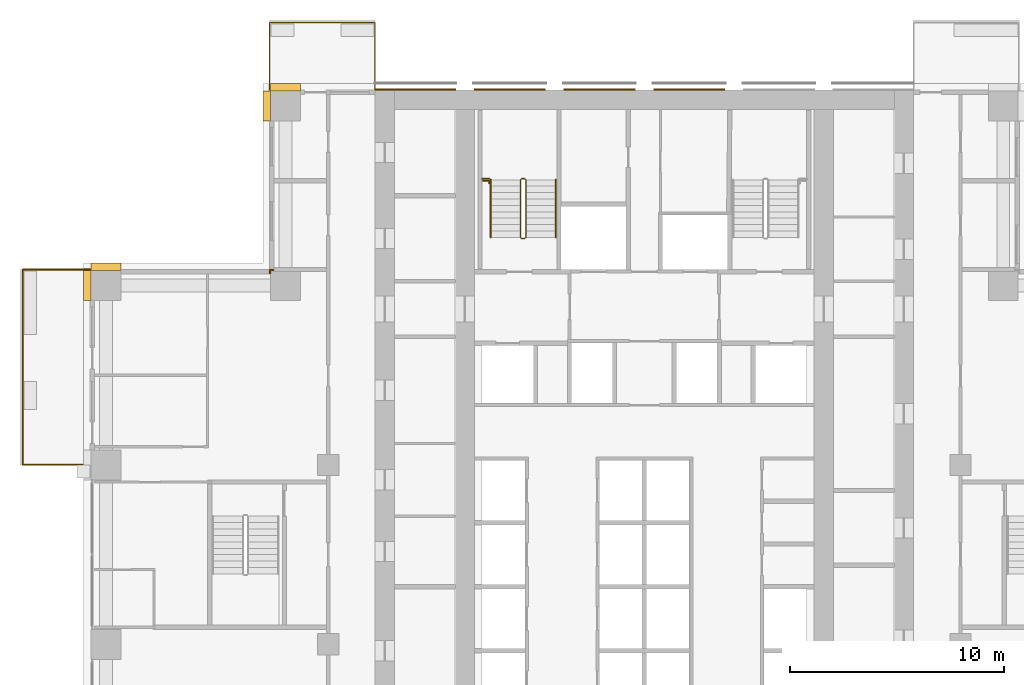
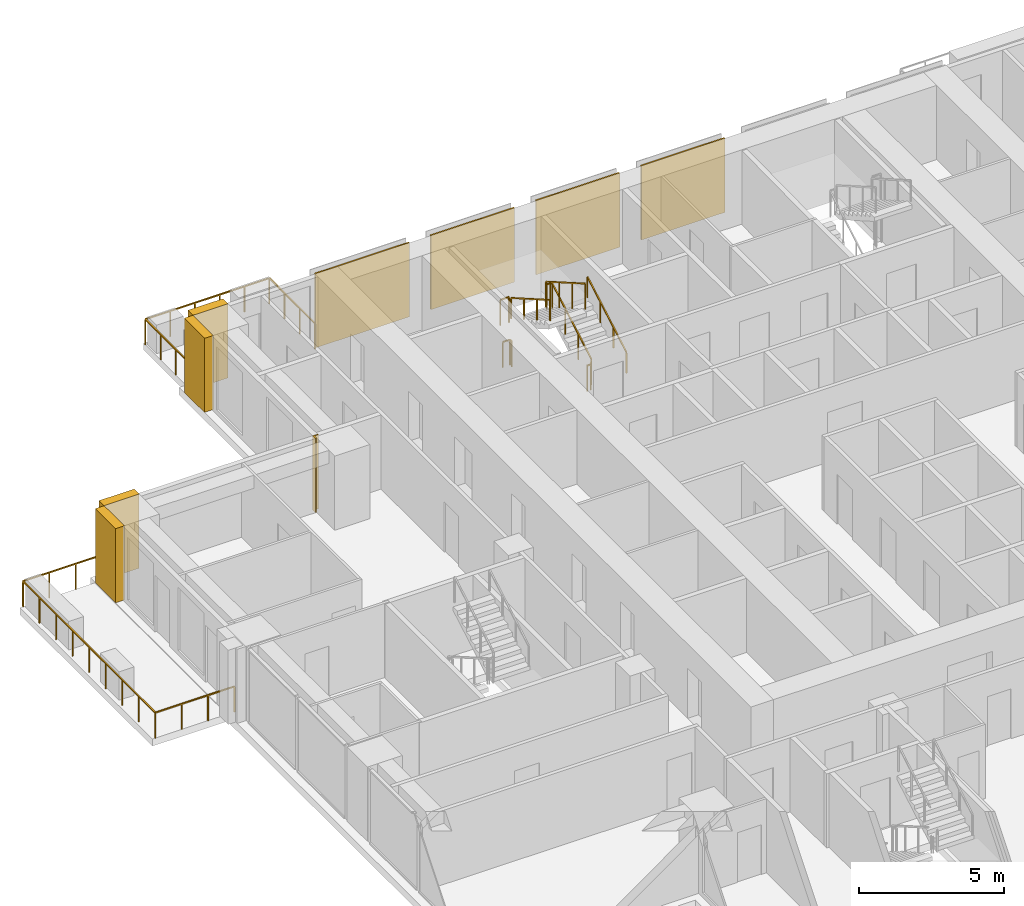
# One storey, part 15 of 16: 9 coverings, 7 railings.
"""IFC4 building model written with IfcOpenShell, lengths in metres."""

from ifc_helpers import new_model, si_unit, direction, frame, origin, origin_2d, place, context, subcontext, project, spatial, polyline, rectangle, outline, extrude, material, type_object, element, save


model = new_model("IFC4")

# Units and contexts
model_context = context("Model", 3, precision=1e-05, world=origin(), true_north=direction((0.0, 1.0)))
body_context = subcontext(model_context, "Body", "Model", "MODEL_VIEW")
ifc_project = project(units=[si_unit("LENGTHUNIT", "METRE"), si_unit("AREAUNIT", "SQUARE_METRE"), si_unit("VOLUMEUNIT", "CUBIC_METRE"), si_unit("PLANEANGLEUNIT", "RADIAN"), si_unit("MASSUNIT", "GRAM", prefix="KILO")], contexts=[model_context])

# Site, building, storey
site_placement = place(None, origin())
site = spatial("IfcSite", under=ifc_project, at=site_placement, CompositionType="ELEMENT")
building_placement = place(site_placement, origin())
building = spatial("IfcBuilding", under=site, at=building_placement, Name="Vermilion Ogive Tower", CompositionType="ELEMENT")
storey_placement = place(building_placement, frame((0.0, 0.0, 41.39990234375)))
storey = spatial("IfcBuildingStorey", under=building, at=storey_placement, Name="L08", CompositionType="ELEMENT", Elevation=41.39990234375)

# Railings
ifc_material_1 = material(Name="Stainless steel and glass", Category="steel")
railing_type_1 = type_object("IfcRailingType", Name="Balcony guard", PredefinedType="GUARDRAIL", material=ifc_material_1)
railing_1_placement = place(storey_placement, frame((-12.60009765625, 21.75, -0.039794921875)))
element("IfcRailing", 1, at=railing_1_placement, inside=storey, type_object=railing_type_1, Name="Guard N201", PredefinedType="GUARDRAIL", context=body_context, shape_type="SweptSolid", body=[
    extrude(rectangle(XDim=0.048095703125, YDim=0.048095703125, at=origin_2d()), frame((0.0, 0.0, 1.076171875), z_axis=(0.0, 1.0, 0.0), x_axis=(-1.0, 0.0, 0.0)), (0.0, 0.0, 1.0), 3.159912109375),
    extrude(rectangle(XDim=0.048095703125, YDim=0.048095703125, at=origin_2d()), frame((0.0, 3.159912109375, 1.076171875), z_axis=(-1.0, 0.0, 0.0), x_axis=(0.0, -1.0, 0.0)), (0.0, 0.0, 1.0), 4.949951171875),
    extrude(rectangle(XDim=0.048095703125, YDim=0.048095703125, at=origin_2d()), frame((-4.949951171875, 3.159912109375, 1.076171875), z_axis=(0.0, -1.0, 0.0), x_axis=(1.0, 0.0, 0.0)), (0.0, 0.0, 1.0), 3.159912109375),
    extrude(rectangle(XDim=0.0419921875, YDim=0.0419921875, at=origin_2d()), origin(), (0.0, 0.0, 1.0), 1.052001953125),
    extrude(rectangle(XDim=0.0419921875, YDim=0.0419921875, at=origin_2d()), frame((0.0, 1.05322265625, 0.0)), (0.0, 0.0, 1.0), 1.052001953125),
    extrude(rectangle(XDim=0.0419921875, YDim=0.0419921875, at=origin_2d()), frame((0.0, 2.106689453125, 0.0)), (0.0, 0.0, 1.0), 1.052001953125),
    extrude(rectangle(XDim=0.0419921875, YDim=0.0419921875, at=origin_2d()), frame((0.0, 3.159912109375, 0.0)), (0.0, 0.0, 1.0), 1.052001953125),
    extrude(rectangle(XDim=0.0419921875, YDim=0.0419921875, at=origin_2d()), frame((-0.989990234375, 3.159912109375, 0.0)), (0.0, 0.0, 1.0), 1.052001953125),
    extrude(rectangle(XDim=0.0419921875, YDim=0.0419921875, at=origin_2d()), frame((-1.97998046875, 3.159912109375, 0.0)), (0.0, 0.0, 1.0), 1.052001953125),
    extrude(rectangle(XDim=0.0419921875, YDim=0.0419921875, at=origin_2d()), frame((-2.969970703125, 3.159912109375, 0.0)), (0.0, 0.0, 1.0), 1.052001953125),
    extrude(rectangle(XDim=0.0419921875, YDim=0.0419921875, at=origin_2d()), frame((-3.9599609375, 3.159912109375, 0.0)), (0.0, 0.0, 1.0), 1.052001953125),
    extrude(rectangle(XDim=0.0419921875, YDim=0.0419921875, at=origin_2d()), frame((-4.949951171875, 3.159912109375, 0.0)), (0.0, 0.0, 1.0), 1.052001953125),
    extrude(rectangle(XDim=0.0419921875, YDim=0.0419921875, at=origin_2d()), frame((-4.949951171875, 2.106689453125, 0.0)), (0.0, 0.0, 1.0), 1.052001953125),
    extrude(rectangle(XDim=0.0419921875, YDim=0.0419921875, at=origin_2d()), frame((-4.949951171875, 1.05322265625, 0.0)), (0.0, 0.0, 1.0), 1.052001953125),
    extrude(rectangle(XDim=0.0419921875, YDim=0.0419921875, at=origin_2d()), frame((-4.949951171875, 0.0, 0.0)), (0.0, 0.0, 1.0), 1.052001953125),
])
railing_2_placement = place(storey_placement, frame((-25.949951171875, 13.35009765625, -0.039794921875)))
element("IfcRailing", 2, at=railing_2_placement, inside=storey, type_object=railing_type_1, Name="Guard W01", PredefinedType="GUARDRAIL", context=body_context, shape_type="SweptSolid", body=[
    extrude(rectangle(XDim=0.048095703125, YDim=0.048095703125, at=origin_2d()), frame((0.0, 0.0, 1.076171875), z_axis=(-1.0, 0.0, 0.0), x_axis=(0.0, -1.0, 0.0)), (0.0, 0.0, 1.0), 3.16015625),
    extrude(rectangle(XDim=0.048095703125, YDim=0.048095703125, at=origin_2d()), frame((-3.16015625, 0.0, 1.076171875), z_axis=(0.0, -1.0, 0.0), x_axis=(1.0, 0.0, 0.0)), (0.0, 0.0, 1.0), 9.150146484375),
    extrude(rectangle(XDim=0.048095703125, YDim=0.048095703125, at=origin_2d()), frame((-3.16015625, -9.150146484375, 1.076171875), z_axis=(1.0, 0.0, 0.0), x_axis=(0.0, 1.0, 0.0)), (0.0, 0.0, 1.0), 3.16015625),
    extrude(rectangle(XDim=0.0419921875, YDim=0.0419921875, at=origin_2d()), origin(), (0.0, 0.0, 1.0), 1.052001953125),
    extrude(rectangle(XDim=0.0419921875, YDim=0.0419921875, at=origin_2d()), frame((-1.053466796875, 0.0, 0.0)), (0.0, 0.0, 1.0), 1.052001953125),
    extrude(rectangle(XDim=0.0419921875, YDim=0.0419921875, at=origin_2d()), frame((-2.106689453125, 0.0, 0.0)), (0.0, 0.0, 1.0), 1.052001953125),
    extrude(rectangle(XDim=0.0419921875, YDim=0.0419921875, at=origin_2d()), frame((-3.16015625, 0.0, 0.0)), (0.0, 0.0, 1.0), 1.052001953125),
    extrude(rectangle(XDim=0.0419921875, YDim=0.0419921875, at=origin_2d()), frame((-3.16015625, -1.143798828125, 0.0)), (0.0, 0.0, 1.0), 1.052001953125),
    extrude(rectangle(XDim=0.0419921875, YDim=0.0419921875, at=origin_2d()), frame((-3.16015625, -2.28759765625, 0.0)), (0.0, 0.0, 1.0), 1.052001953125),
    extrude(rectangle(XDim=0.0419921875, YDim=0.0419921875, at=origin_2d()), frame((-3.16015625, -3.431396484375, 0.0)), (0.0, 0.0, 1.0), 1.052001953125),
    extrude(rectangle(XDim=0.0419921875, YDim=0.0419921875, at=origin_2d()), frame((-3.16015625, -4.5751953125, 0.0)), (0.0, 0.0, 1.0), 1.052001953125),
    extrude(rectangle(XDim=0.0419921875, YDim=0.0419921875, at=origin_2d()), frame((-3.16015625, -5.71875, 0.0)), (0.0, 0.0, 1.0), 1.052001953125),
    extrude(rectangle(XDim=0.0419921875, YDim=0.0419921875, at=origin_2d()), frame((-3.16015625, -6.862548828125, 0.0)), (0.0, 0.0, 1.0), 1.052001953125),
    extrude(rectangle(XDim=0.0419921875, YDim=0.0419921875, at=origin_2d()), frame((-3.16015625, -8.00634765625, 0.0)), (0.0, 0.0, 1.0), 1.052001953125),
    extrude(rectangle(XDim=0.0419921875, YDim=0.0419921875, at=origin_2d()), frame((-3.16015625, -9.150146484375, 0.0)), (0.0, 0.0, 1.0), 1.052001953125),
    extrude(rectangle(XDim=0.0419921875, YDim=0.0419921875, at=origin_2d()), frame((-2.106689453125, -9.150146484375, 0.0)), (0.0, 0.0, 1.0), 1.052001953125),
    extrude(rectangle(XDim=0.0419921875, YDim=0.0419921875, at=origin_2d()), frame((-1.053466796875, -9.150146484375, 0.0)), (0.0, 0.0, 1.0), 1.052001953125),
    extrude(rectangle(XDim=0.0419921875, YDim=0.0419921875, at=origin_2d()), frame((0.0, -9.150146484375, 0.0)), (0.0, 0.0, 1.0), 1.052001953125),
])
ifc_material_2 = material(Name="Steel S355 painted", Category="steel")
railing_type_2 = type_object("IfcRailingType", Name="Stair guard 1100", PredefinedType="GUARDRAIL", material=ifc_material_2)
railing_3_placement = place(storey_placement, frame((-5.75, 14.800048828125, 0.0)))
element("IfcRailing", 3, at=railing_3_placement, inside=storey, type_object=railing_type_2, Name="L08 ST1 stair guard 4", PredefinedType="GUARDRAIL", context=body_context, shape_type="SweptSolid", body=[
    extrude(rectangle(XDim=0.048095703125, YDim=0.048095703125, at=origin_2d()), frame((0.0, 0.0, 1.076171875), z_axis=(1.0, 0.0, 0.0), x_axis=(0.0, 1.0, 0.0)), (0.0, 0.0, 1.0), 0.14990234375),
    extrude(rectangle(XDim=0.048095703125, YDim=0.048095703125, at=origin_2d()), frame((0.14990234375, 0.0, 1.076171875), z_axis=(0.268277960024, 0.268277960024, 0.925231793839), x_axis=(-0.707106781187, 0.707106781187, 0.0)), (0.0, 0.0, 1.0), 0.1865234375),
    extrude(rectangle(XDim=0.048095703125, YDim=0.048095703125, at=origin_2d()), frame((0.199951171875, 0.050048828125, 1.24853515625), z_axis=(0.0, 0.866903762492, 0.498475542607), x_axis=(-1.0, 0.0, 0.0)), (0.0, 0.0, 1.0), 3.114501953125),
    extrude(rectangle(XDim=0.048095703125, YDim=0.048095703125, at=origin_2d()), frame((0.199951171875, 2.75, 2.80126953125), z_axis=(-0.707106781187, 0.707106781187, 0.0), x_axis=(-0.707106781187, -0.707106781187, 0.0)), (0.0, 0.0, 1.0), 0.07080078125),
    extrude(rectangle(XDim=0.048095703125, YDim=0.048095703125, at=origin_2d()), frame((0.14990234375, 2.800048828125, 2.80126953125), z_axis=(-1.0, 0.0, 0.0), x_axis=(0.0, -1.0, 0.0)), (0.0, 0.0, 1.0), 0.14990234375),
    extrude(rectangle(XDim=0.048095703125, YDim=0.048095703125, at=origin_2d()), frame((0.0, 2.800048828125, 2.80126953125), z_axis=(-0.268277960024, -0.268277960024, 0.925231793839), x_axis=(0.707106781187, -0.707106781187, 0.0)), (0.0, 0.0, 1.0), 0.1865234375),
    extrude(rectangle(XDim=0.048095703125, YDim=0.048095703125, at=origin_2d()), frame((-0.050048828125, 2.75, 2.9736328125), z_axis=(0.0, -0.866903762492, 0.498475542607), x_axis=(1.0, 0.0, 0.0)), (0.0, 0.0, 1.0), 3.114501953125),
    extrude(rectangle(XDim=0.0419921875, YDim=0.0419921875, at=origin_2d()), origin(), (0.0, 0.0, 1.0), 1.052001953125),
    extrude(rectangle(XDim=0.0419921875, YDim=0.0419921875, at=origin_2d()), frame((0.14990234375, 0.0, 0.0)), (0.0, 0.0, 1.0), 1.052001953125),
    extrude(rectangle(XDim=0.0419921875, YDim=0.0419921875, at=origin_2d()), frame((0.199951171875, 0.050048828125, 0.172607421875)), (0.0, 0.0, 1.0), 1.052001953125),
    extrude(rectangle(XDim=0.0419921875, YDim=0.0419921875, at=origin_2d()), frame((0.199951171875, 0.949951171875, 0.690185546875)), (0.0, 0.0, 1.0), 1.052001953125),
    extrude(rectangle(XDim=0.0419921875, YDim=0.0419921875, at=origin_2d()), frame((0.199951171875, 1.85009765625, 1.20751953125)), (0.0, 0.0, 1.0), 1.052001953125),
    extrude(rectangle(XDim=0.0419921875, YDim=0.0419921875, at=origin_2d()), frame((0.199951171875, 2.75, 1.72509765625)), (0.0, 0.0, 1.0), 1.052001953125),
    extrude(rectangle(XDim=0.0419921875, YDim=0.0419921875, at=origin_2d()), frame((0.14990234375, 2.800048828125, 1.72509765625)), (0.0, 0.0, 1.0), 1.052001953125),
    extrude(rectangle(XDim=0.0419921875, YDim=0.0419921875, at=origin_2d()), frame((0.0, 2.800048828125, 1.72509765625)), (0.0, 0.0, 1.0), 1.052001953125),
    extrude(rectangle(XDim=0.0419921875, YDim=0.0419921875, at=origin_2d()), frame((-0.050048828125, 2.75, 1.897705078125)), (0.0, 0.0, 1.0), 1.052001953125),
    extrude(rectangle(XDim=0.0419921875, YDim=0.0419921875, at=origin_2d()), frame((-0.050048828125, 1.85009765625, 2.415283203125)), (0.0, 0.0, 1.0), 1.052001953125),
    extrude(rectangle(XDim=0.0419921875, YDim=0.0419921875, at=origin_2d()), frame((-0.050048828125, 0.949951171875, 2.9326171875)), (0.0, 0.0, 1.0), 1.052001953125),
    extrude(rectangle(XDim=0.0419921875, YDim=0.0419921875, at=origin_2d()), frame((-0.050048828125, 0.050048828125, 3.4501953125)), (0.0, 0.0, 1.0), 1.052001953125),
])
railing_4_placement = place(storey_placement, frame((-7.60009765625, 17.60009765625, 1.72509765625)))
element("IfcRailing", 4, at=railing_4_placement, inside=storey, type_object=railing_type_2, Name="L08 landing guard", PredefinedType="GUARDRAIL", context=body_context, shape_type="SweptSolid", body=[
    extrude(rectangle(XDim=0.048095703125, YDim=0.048095703125, at=origin_2d()), frame((0.0, 0.0, 1.076171875), z_axis=(1.0, 0.0, 0.0), x_axis=(0.0, 1.0, 0.0)), (0.0, 0.0, 1.0), 0.35009765625),
    extrude(rectangle(XDim=0.0419921875, YDim=0.0419921875, at=origin_2d()), origin(), (0.0, 0.0, 1.0), 1.052001953125),
    extrude(rectangle(XDim=0.0419921875, YDim=0.0419921875, at=origin_2d()), frame((0.35009765625, 0.0, 0.0)), (0.0, 0.0, 1.0), 1.052001953125),
])
railing_5_placement = place(storey_placement, frame((-7.56298828125, 17.49462890625, 0.0)))
element("IfcRailing", 5, at=railing_5_placement, inside=storey, type_object=railing_type_2, Name="L08 stair opening guard", PredefinedType="GUARDRAIL", context=body_context, shape_type="SweptSolid", body=[
    extrude(rectangle(XDim=0.048095703125, YDim=0.048095703125, at=origin_2d()), frame((0.0, 0.0, 1.076171875), z_axis=(1.0, 0.0, 0.0), x_axis=(0.0, 1.0, 0.0)), (0.0, 0.0, 1.0), 0.2900390625),
    extrude(rectangle(XDim=0.048095703125, YDim=0.048095703125, at=origin_2d()), frame((0.2900390625, 0.0, 1.076171875), z_axis=(0.0, -1.0, 0.0), x_axis=(1.0, 0.0, 0.0)), (0.0, 0.0, 1.0), 0.1201171875),
    extrude(rectangle(XDim=0.0419921875, YDim=0.0419921875, at=origin_2d()), origin(), (0.0, 0.0, 1.0), 1.052001953125),
    extrude(rectangle(XDim=0.0419921875, YDim=0.0419921875, at=origin_2d()), frame((0.2900390625, 0.0, 0.0)), (0.0, 0.0, 1.0), 1.052001953125),
    extrude(rectangle(XDim=0.0419921875, YDim=0.0419921875, at=origin_2d()), frame((0.2900390625, -0.1201171875, 0.0)), (0.0, 0.0, 1.0), 1.052001953125),
])
ifc_material_3 = material(Name="Stainless steel", Category="steel")
railing_type_3 = type_object("IfcRailingType", Name="Stair handrail 900", PredefinedType="HANDRAIL", material=ifc_material_3)
railing_6_placement = place(storey_placement, frame((-4.14990234375, 14.85009765625, 0.172607421875)))
element("IfcRailing", 6, at=railing_6_placement, inside=storey, type_object=railing_type_3, Name="L08 ST1 stair handrail 1", PredefinedType="HANDRAIL", context=body_context, shape_type="SweptSolid", body=[
    extrude(rectangle(XDim=0.048095703125, YDim=0.048095703125, at=origin_2d()), frame((0.0, 0.0, 0.8759765625), z_axis=(0.0, 0.866903762492, 0.498475542607), x_axis=(-1.0, 0.0, 0.0)), (0.0, 0.0, 1.0), 3.114501953125),
    extrude(rectangle(XDim=0.0419921875, YDim=0.0419921875, at=origin_2d()), origin(), (0.0, 0.0, 1.0), 0.851806640625),
    extrude(rectangle(XDim=0.0419921875, YDim=0.0419921875, at=origin_2d()), frame((0.0, 0.89990234375, 0.517578125)), (0.0, 0.0, 1.0), 0.851806640625),
    extrude(rectangle(XDim=0.0419921875, YDim=0.0419921875, at=origin_2d()), frame((0.0, 1.800048828125, 1.034912109375)), (0.0, 0.0, 1.0), 0.851806640625),
    extrude(rectangle(XDim=0.0419921875, YDim=0.0419921875, at=origin_2d()), frame((0.0, 2.699951171875, 1.552490234375)), (0.0, 0.0, 1.0), 0.851806640625),
])
railing_7_placement = place(storey_placement, frame((-7.199951171875, 17.550048828125, 1.897705078125)))
element("IfcRailing", 7, at=railing_7_placement, inside=storey, type_object=railing_type_3, Name="L08 ST1 stair handrail 2", PredefinedType="HANDRAIL", context=body_context, shape_type="SweptSolid", body=[
    extrude(rectangle(XDim=0.048095703125, YDim=0.048095703125, at=origin_2d()), frame((0.0, 0.0, 0.8759765625), z_axis=(0.0, -0.866903762492, 0.498475542607), x_axis=(1.0, 0.0, 0.0)), (0.0, 0.0, 1.0), 3.114501953125),
    extrude(rectangle(XDim=0.0419921875, YDim=0.0419921875, at=origin_2d()), origin(), (0.0, 0.0, 1.0), 0.851806640625),
    extrude(rectangle(XDim=0.0419921875, YDim=0.0419921875, at=origin_2d()), frame((0.0, -0.89990234375, 0.517578125)), (0.0, 0.0, 1.0), 0.851806640625),
    extrude(rectangle(XDim=0.0419921875, YDim=0.0419921875, at=origin_2d()), frame((0.0, -1.800048828125, 1.034912109375)), (0.0, 0.0, 1.0), 0.851806640625),
    extrude(rectangle(XDim=0.0419921875, YDim=0.0419921875, at=origin_2d()), frame((0.0, -2.699951171875, 1.552490234375)), (0.0, 0.0, 1.0), 0.851806640625),
])

# Coverings
ifc_material_4 = material(Name="Stone cladding", Category="masonry")
covering_type_1 = type_object("IfcCoveringType", Name="Stone cladding panel", PredefinedType="CLADDING", material=ifc_material_4)
covering_1_placement = place(storey_placement, origin())
element("IfcCovering", 8, at=covering_1_placement, inside=storey, type_object=covering_type_1, Name="Stone cladding panel N1", PredefinedType="CLADDING", context=body_context, shape_type="SweptSolid", body=[
    extrude(outline(polyline([(-12.590087890625, 21.75), (-8.830078125, 21.75), (-8.830078125, 21.81005859375), (-12.590087890625, 21.81005859375), (-12.590087890625, 21.75)])), origin(), (0.0, 0.0, 1.0), 3.130126953125),
])
covering_2_placement = place(storey_placement, origin())
element("IfcCovering", 9, at=covering_2_placement, inside=storey, type_object=covering_type_1, Name="Stone cladding panel N2", PredefinedType="CLADDING", context=body_context, shape_type="SweptSolid", body=[
    extrude(outline(polyline([(-7.969970703125, 21.75), (-4.6298828125, 21.75), (-4.6298828125, 21.81005859375), (-7.969970703125, 21.81005859375), (-7.969970703125, 21.75)])), origin(), (0.0, 0.0, 1.0), 3.130126953125),
])
covering_3_placement = place(storey_placement, origin())
element("IfcCovering", 10, at=covering_3_placement, inside=storey, type_object=covering_type_1, Name="Stone cladding panel N3", PredefinedType="CLADDING", context=body_context, shape_type="SweptSolid", body=[
    extrude(outline(polyline([(-3.77001953125, 21.75), (-0.429931640625, 21.75), (-0.429931640625, 21.81005859375), (-3.77001953125, 21.81005859375), (-3.77001953125, 21.75)])), origin(), (0.0, 0.0, 1.0), 3.130126953125),
])
covering_4_placement = place(storey_placement, origin())
element("IfcCovering", 11, at=covering_4_placement, inside=storey, type_object=covering_type_1, Name="Stone cladding panel N4", PredefinedType="CLADDING", context=body_context, shape_type="SweptSolid", body=[
    extrude(outline(polyline([(0.429931640625, 21.75), (3.77001953125, 21.75), (3.77001953125, 21.81005859375), (0.429931640625, 21.81005859375), (0.429931640625, 21.75)])), origin(), (0.0, 0.0, 1.0), 3.130126953125),
])
ifc_material_5 = material(Name="Stone cladding", Category="masonry")
covering_type_2 = type_object("IfcCoveringType", Name="Stone pier", PredefinedType="CLADDING", material=ifc_material_5)
covering_5_placement = place(storey_placement, origin())
element("IfcCovering", 12, at=covering_5_placement, inside=storey, type_object=covering_type_2, Name="Stone corner pier X5E1", PredefinedType="CLADDING", context=body_context, shape_type="SweptSolid", body=[
    extrude(outline(polyline([(-17.35009765625, 13.300048828125), (-17.5, 13.300048828125), (-17.5, 13.14990234375), (-17.550048828125, 13.14990234375), (-17.550048828125, 13.35009765625), (-17.35009765625, 13.35009765625), (-17.35009765625, 13.300048828125)])), origin(), (0.0, 0.0, 1.0), 3.130126953125),
])
covering_6_placement = place(storey_placement, origin())
element("IfcCovering", 13, at=covering_6_placement, inside=storey, type_object=covering_type_2, Name="Stone pier P-0168+210N2", PredefinedType="CLADDING", context=body_context, shape_type="SweptSolid", body=[
    extrude(outline(polyline([(-17.5, 21.699951171875), (-17.5, 22.050048828125), (-16.10009765625, 22.050048828125), (-16.10009765625, 21.699951171875), (-17.5, 21.699951171875), (-17.5, 21.699951171875)])), origin(), (0.0, 0.0, 1.0), 3.130126953125),
])
covering_7_placement = place(storey_placement, origin())
element("IfcCovering", 14, at=covering_7_placement, inside=storey, type_object=covering_type_2, Name="Stone pier P-0168+210X5", PredefinedType="CLADDING", context=body_context, shape_type="SweptSolid", body=[
    extrude(outline(polyline([(-17.85009765625, 21.699951171875), (-17.5, 21.699951171875), (-17.5, 21.699951171875), (-17.5, 20.300048828125), (-17.85009765625, 20.300048828125), (-17.85009765625, 21.699951171875)])), origin(), (0.0, 0.0, 1.0), 3.130126953125),
])
covering_8_placement = place(storey_placement, origin())
element("IfcCovering", 15, at=covering_8_placement, inside=storey, type_object=covering_type_2, Name="Stone pier P-0252+126X6", PredefinedType="CLADDING", context=body_context, shape_type="SweptSolid", body=[
    extrude(outline(polyline([(-25.89990234375, 13.300048828125), (-25.89990234375, 13.64990234375), (-24.5, 13.64990234375), (-24.5, 13.300048828125), (-24.5, 13.300048828125), (-25.89990234375, 13.300048828125)])), origin(), (0.0, 0.0, 1.0), 3.130126953125),
])
covering_9_placement = place(storey_placement, origin())
element("IfcCovering", 16, at=covering_9_placement, inside=storey, type_object=covering_type_2, Name="Stone pier P-0252+126W", PredefinedType="CLADDING", context=body_context, shape_type="SweptSolid", body=[
    extrude(outline(polyline([(-26.25, 13.300048828125), (-25.89990234375, 13.300048828125), (-25.89990234375, 11.89990234375), (-26.25, 11.89990234375), (-26.25, 13.300048828125)])), origin(), (0.0, 0.0, 1.0), 3.130126953125),
])

save(model, "model.ifc")
